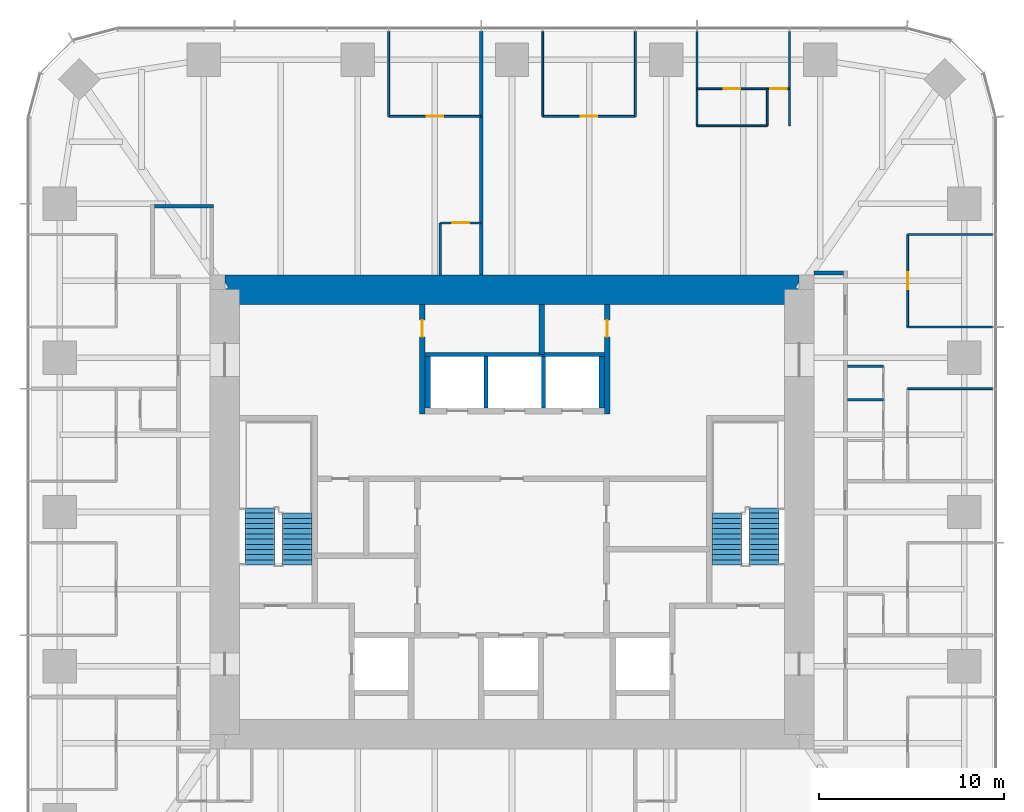
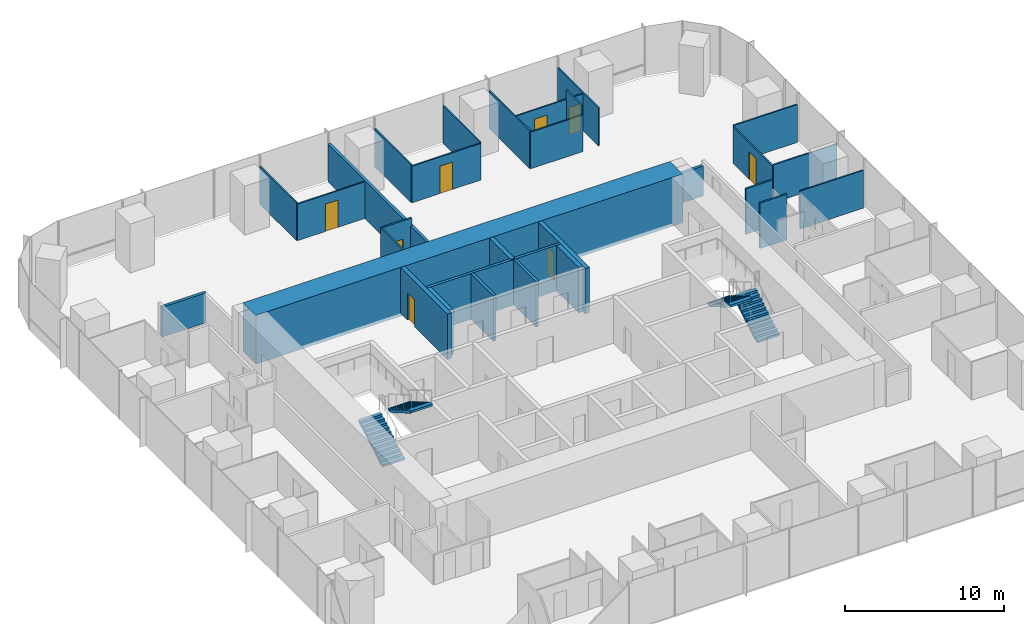
# One storey, part 11 of 12: 30 walls, 8 doors, 4 stair flights, 8 openings, 2 elements without a shape of their own.
"""IFC4 building model written with IfcOpenShell, lengths in metres."""

from ifc_helpers import new_model, si_unit, direction, frame, frame_2d, origin, place, context, subcontext, project, spatial, polyline, rectangle, outline, extrude, material, layer, layer_set, type_object, element, fill, aggregate, save


model = new_model("IFC4")

# Units and contexts
model_context = context("Model", 3, precision=1e-05, world=origin(), true_north=direction((0.0, 1.0)))
body_context = subcontext(model_context, "Body", "Model", "MODEL_VIEW")
ifc_project = project(units=[si_unit("LENGTHUNIT", "METRE"), si_unit("AREAUNIT", "SQUARE_METRE"), si_unit("VOLUMEUNIT", "CUBIC_METRE"), si_unit("PLANEANGLEUNIT", "RADIAN"), si_unit("MASSUNIT", "GRAM", prefix="KILO")], contexts=[model_context])

# Site, building, storey
site_placement = place(None, origin())
site = spatial("IfcSite", under=ifc_project, at=site_placement, CompositionType="ELEMENT")
building_placement = place(site_placement, origin())
building = spatial("IfcBuilding", under=site, at=building_placement, Name="Khuree Lantern Residences", CompositionType="ELEMENT")
storey_placement = place(building_placement, frame((0.0, 0.0, 233.25)))
storey = spatial("IfcBuildingStorey", under=building, at=storey_placement, Name="L58", CompositionType="ELEMENT", Elevation=233.25)

# Walls
ifc_material_1 = material(Name="Moisture-resistant gypsum board on steel studs", Category="steel")
ifc_layer_1 = layer(ifc_material_1, 0.125)
ifc_layer_set_1 = layer_set([ifc_layer_1], Name="BATHROOM WALL BTW125")
wall_type_1 = type_object("IfcWallType", Name="BATHROOM WALL BTW125", PredefinedType="PARTITIONING", material=ifc_layer_set_1)
for number, where, z_axis, x_axis, name in (
    (1, (18.10009765625, 6.06396484375, 0.0), (0.0, 0.0, 1.0), (1.0, 0.0, 0.0), "L58 BATHROOM WALL 02"),
    (2, (18.10009765625, 7.864013671875, 0.0), (0.0, 0.0, 1.0), (1.0, 0.0, 0.0), "L58 BATHROOM WALL 02"),
):
    element("IfcWall", number, at=place(storey_placement, frame(where, z_axis=z_axis, x_axis=x_axis)), inside=storey, type_object=wall_type_1, Name=name, PredefinedType="PARTITIONING", context=body_context, shape_type="SweptSolid", body=[
        extrude(rectangle(XDim=1.949951171875, YDim=0.125, at=frame_2d((0.97509765625, 0.0))), origin(), (0.0, 0.0, 1.0), 3.5),
    ])

# Wall, opening, door
wall_1_placement = place(storey_placement, frame((-1.6640625, 15.60009765625, 0.0), z_axis=(0.0, 0.0, 1.0), x_axis=(-1.0, 0.0, 0.0)))
wall_1 = element("IfcWall", 3, at=wall_1_placement, inside=storey, type_object=wall_type_1, Name="L58 BATHROOM WALL 03", PredefinedType="PARTITIONING", context=body_context, shape_type="SweptSolid", body=[
    extrude(rectangle(XDim=2.199951171875, YDim=0.125, at=frame_2d((1.10009765625, 0.0))), origin(), (0.0, 0.0, 1.0), 3.5),
])
opening_1_placement = place(wall_1_placement, frame((0.64990234375, 0.0, 0.0)))
opening_1 = element("IfcOpeningElement", 4, at=opening_1_placement, cuts=wall_1, Name="Opening 58-037", PredefinedType="OPENING", context=body_context, shape_type="SweptSolid", body=[
    extrude(rectangle(XDim=0.89990234375, YDim=2.10009765625, at=frame_2d((0.449951171875, 1.050048828125))), frame((0.0, 0.072509765625, 0.0), z_axis=(0.0, -1.0, 0.0), x_axis=(1.0, 0.0, 0.0)), (0.0, 0.0, 1.0), 0.14501953125),
])
ifc_material_2 = material(Name="Timber door leaf in hardwood frame", Category="wood")
door_type_1 = type_object("IfcDoorType", Name="BATHROOM DOOR 900X2100", OperationType="SINGLE_SWING_LEFT", PredefinedType="DOOR", material=ifc_material_2)
door_1_placement = place(opening_1_placement, origin())
door_1 = element("IfcDoor", 5, at=door_1_placement, inside=storey, type_object=door_type_1, Name="Bathroom door 58-037", OperationType="SINGLE_SWING_LEFT", OverallHeight=2.10009765625, OverallWidth=0.89990234375, PredefinedType="DOOR", context=body_context, shape_type="SweptSolid", body=[
    extrude(rectangle(XDim=0.89990234375, YDim=2.10009765625, at=frame_2d((0.449951171875, 1.050048828125))), frame((0.0, 0.02490234375, 0.0), z_axis=(0.0, -1.0, 0.0), x_axis=(1.0, 0.0, 0.0)), (0.0, 0.0, 1.0), 0.050048828125),
])
fill(opening_1, door_1)

# Walls
wall_2_placement = place(storey_placement, frame((-3.864013671875, 12.800048828125, 0.0), z_axis=(0.0, 0.0, 1.0), x_axis=(0.0, 1.0, 0.0)))
element("IfcWall", 6, at=wall_2_placement, inside=storey, type_object=wall_type_1, Name="L58 BATHROOM WALL 03", PredefinedType="PARTITIONING", context=body_context, shape_type="SweptSolid", body=[
    extrude(rectangle(XDim=2.800048828125, YDim=0.125, at=frame_2d((1.39990234375, 0.0))), origin(), (0.0, 0.0, 1.0), 3.5),
])
ifc_material_3 = material(Name="Dense concrete blockwork", Category="masonry")
ifc_layer_2 = layer(ifc_material_3, 0.300048828125)
ifc_layer_set_2 = layer_set([ifc_layer_2], Name="CORE PARTITION WALL CPW300 EI 120")
wall_type_2 = type_object("IfcWallType", Name="CORE PARTITION WALL CPW300 EI 120", PredefinedType="PARTITIONING", material=ifc_layer_set_2)
for number, where, z_axis, x_axis, name in (
    (7, (-4.550048828125, 5.60009765625, 0.0), (0.0, 0.0, 1.0), (0.0, 1.0, 0.0), "L58 CORE WALL PHW"),
    (8, (4.85009765625, 5.60009765625, 0.0), (0.0, 0.0, 1.0), (0.0, 1.0, 0.0), "L58 CORE WALL PHE"),
):
    element("IfcWall", number, at=place(storey_placement, frame(where, z_axis=z_axis, x_axis=x_axis)), inside=storey, type_object=wall_type_2, Name=name, PredefinedType="PARTITIONING", context=body_context, shape_type="SweptSolid", body=[
        extrude(rectangle(XDim=2.7998046875, YDim=0.300048828125, at=frame_2d((1.39990234375, 0.0))), origin(), (0.0, 0.0, 1.0), 3.5),
    ])

# Wall, opening, door
wall_3_placement = place(storey_placement, frame((-4.85009765625, 5.300048828125, 0.0), z_axis=(0.0, 0.0, 1.0), x_axis=(0.0, 1.0, 0.0)))
wall_3 = element("IfcWall", 9, at=wall_3_placement, inside=storey, type_object=wall_type_2, Name="L58 CORE WALL NW", PredefinedType="PARTITIONING", context=body_context, shape_type="SweptSolid", body=[
    extrude(rectangle(XDim=5.89990234375, YDim=0.300048828125, at=frame_2d((2.949951171875, 0.0))), origin(), (0.0, 0.0, 1.0), 3.5),
])
opening_2_placement = place(wall_3_placement, frame((4.14990234375, 0.0, 0.0)))
opening_2 = element("IfcOpeningElement", 10, at=opening_2_placement, cuts=wall_3, Name="Opening 58-021", PredefinedType="OPENING", context=body_context, shape_type="SweptSolid", body=[
    extrude(rectangle(XDim=0.89990234375, YDim=2.10009765625, at=frame_2d((0.449951171875, 1.050048828125))), frame((0.0, 0.16015625, 0.0), z_axis=(0.0, -1.0, 0.0), x_axis=(1.0, 0.0, 0.0)), (0.0, 0.0, 1.0), 0.320068359375),
])
door_type_2 = type_object("IfcDoorType", Name="DOOR 900X2100 RIGHT HAND", OperationType="SINGLE_SWING_RIGHT", PredefinedType="DOOR", material=ifc_material_2)
door_2_placement = place(opening_2_placement, origin())
door_2 = element("IfcDoor", 11, at=door_2_placement, inside=storey, type_object=door_type_2, Name="Bulky waste store door 58-021", OperationType="SINGLE_SWING_RIGHT", OverallHeight=2.10009765625, OverallWidth=0.89990234375, PredefinedType="DOOR", context=body_context, shape_type="SweptSolid", body=[
    extrude(rectangle(XDim=0.89990234375, YDim=2.10009765625, at=frame_2d((0.449951171875, 1.050048828125))), frame((0.0, 0.02490234375, 0.0), z_axis=(0.0, -1.0, 0.0), x_axis=(1.0, 0.0, 0.0)), (0.0, 0.0, 1.0), 0.050048828125),
])
fill(opening_2, door_2)

wall_4_placement = place(storey_placement, frame((5.14990234375, 5.300048828125, 0.0), z_axis=(0.0, 0.0, 1.0), x_axis=(0.0, 1.0, 0.0)))
wall_4 = element("IfcWall", 12, at=wall_4_placement, inside=storey, type_object=wall_type_2, Name="L58 CORE WALL NE", PredefinedType="PARTITIONING", context=body_context, shape_type="SweptSolid", body=[
    extrude(rectangle(XDim=5.89990234375, YDim=0.300048828125, at=frame_2d((2.949951171875, 0.0))), origin(), (0.0, 0.0, 1.0), 3.5),
])
opening_3_placement = place(wall_4_placement, frame((4.14990234375, 0.0, 0.0)))
opening_3 = element("IfcOpeningElement", 13, at=opening_3_placement, cuts=wall_4, Name="Opening 58-022", PredefinedType="OPENING", context=body_context, shape_type="SweptSolid", body=[
    extrude(rectangle(XDim=0.89990234375, YDim=2.10009765625, at=frame_2d((0.449951171875, 1.050048828125))), frame((0.0, 0.16015625, 0.0), z_axis=(0.0, -1.0, 0.0), x_axis=(1.0, 0.0, 0.0)), (0.0, 0.0, 1.0), 0.320068359375),
])
door_type_3 = type_object("IfcDoorType", Name="DOOR 900X2100", OperationType="SINGLE_SWING_LEFT", PredefinedType="DOOR", material=ifc_material_2)
door_3_placement = place(opening_3_placement, origin())
door_3 = element("IfcDoor", 14, at=door_3_placement, inside=storey, type_object=door_type_3, Name="Building management room door 58-022", OperationType="SINGLE_SWING_LEFT", OverallHeight=2.10009765625, OverallWidth=0.89990234375, PredefinedType="DOOR", context=body_context, shape_type="SweptSolid", body=[
    extrude(rectangle(XDim=0.89990234375, YDim=2.10009765625, at=frame_2d((0.449951171875, 1.050048828125))), frame((0.0, 0.02490234375, 0.0), z_axis=(0.0, -1.0, 0.0), x_axis=(1.0, 0.0, 0.0)), (0.0, 0.0, 1.0), 0.050048828125),
])
fill(opening_3, door_3)

# Walls
wall_5_placement = place(storey_placement, frame((1.60009765625, 8.5, 0.0), z_axis=(0.0, 0.0, 1.0), x_axis=(0.0, 1.0, 0.0)))
element("IfcWall", 15, at=wall_5_placement, inside=storey, type_object=wall_type_2, Name="L58 CORE WALL NX", PredefinedType="PARTITIONING", context=body_context, shape_type="SweptSolid", body=[
    extrude(rectangle(XDim=2.699951171875, YDim=0.300048828125, at=frame_2d((1.35009765625, 0.0))), origin(), (0.0, 0.0, 1.0), 3.5),
])
ifc_material_4 = material(Name="Gypsum board on steel studs", Category="steel")
ifc_layer_3 = layer(ifc_material_4, 0.199951171875)
ifc_layer_set_3 = layer_set([ifc_layer_3], Name="CORRIDOR WALL CRW200 EI 60")
wall_type_3 = type_object("IfcWallType", Name="CORRIDOR WALL CRW200 EI 60", PredefinedType="PARTITIONING", material=ifc_layer_set_3)
wall_6_placement = place(storey_placement, frame((-19.300048828125, 16.5, 0.0), z_axis=(0.0, 0.0, 1.0), x_axis=(1.0, 0.0, 0.0)))
element("IfcWall", 16, at=wall_6_placement, inside=storey, type_object=wall_type_3, Name="L58 RESIDENTS LOUNGE WALL", PredefinedType="PARTITIONING", context=body_context, shape_type="SweptSolid", body=[
    extrude(rectangle(XDim=3.199951171875, YDim=0.199951171875, at=frame_2d((1.60009765625, 0.0))), origin(), (0.0, 0.0, 1.0), 2.300048828125),
])
wall_7_placement = place(storey_placement, frame((16.300048828125, 12.89990234375, 0.0), z_axis=(0.0, 0.0, 1.0), x_axis=(1.0, 0.0, 0.0)))
element("IfcWall", 17, at=wall_7_placement, inside=storey, type_object=wall_type_3, Name="L58 EAST CORRIDOR NORTH END WALL", PredefinedType="PARTITIONING", context=body_context, shape_type="SweptSolid", body=[
    extrude(rectangle(XDim=1.599853515625, YDim=0.199951171875, at=frame_2d((0.7998046875, 0.0))), origin(), (0.0, 0.0, 1.0), 2.300048828125),
])
ifc_material_5 = material(Name="Concrete C50/60", Category="concrete")
ifc_layer_4 = layer(ifc_material_5, 1.60009765625)
ifc_layer_set_4 = layer_set([ifc_layer_4], Name="CW1600-C50 CORE WALL C50 1600")
wall_type_4 = type_object("IfcWallType", Name="CW1600-C50 CORE WALL C50 1600", PredefinedType="SHEAR", material=ifc_layer_set_4)
wall_8_placement = place(storey_placement, frame((-15.5, 12.0, -0.25), z_axis=(0.0, 0.0, 1.0), x_axis=(1.0, 0.0, 0.0)))
element("IfcWall", 18, at=wall_8_placement, inside=storey, type_object=wall_type_4, Name="Core wall N", PredefinedType="SHEAR", context=body_context, shape_type="SweptSolid", body=[
    extrude(rectangle(XDim=31.0, YDim=1.60009765625, at=frame_2d((15.5, 0.0))), origin(), (0.0, 0.0, 1.0), 3.75),
])
ifc_layer_5 = layer(ifc_material_4, 0.199951171875)
ifc_layer_set_5 = layer_set([ifc_layer_5], Name="DEMISING WALL DMW200 EI 90")
wall_type_5 = type_object("IfcWallType", Name="DEMISING WALL DMW200 EI 90", PredefinedType="PARTITIONING", material=ifc_layer_set_5)
wall_9_placement = place(storey_placement, frame((-1.6640625, 12.800048828125, 0.0), z_axis=(0.0, 0.0, 1.0), x_axis=(0.0, 1.0, 0.0)))
element("IfcWall", 19, at=wall_9_placement, inside=storey, type_object=wall_type_5, Name="L58 DEMISING WALL 03", PredefinedType="PARTITIONING", context=body_context, shape_type="SweptSolid", body=[
    extrude(rectangle(XDim=13.14990234375, YDim=0.199951171875, at=frame_2d((6.574951171875, 0.0))), origin(), (0.0, 0.0, 1.0), 2.909912109375),
])
ifc_layer_6 = layer(ifc_material_4, 0.10009765625)
ifc_layer_set_6 = layer_set([ifc_layer_6], Name="PARTITION PT100")
wall_type_6 = type_object("IfcWallType", Name="PARTITION PT100", PredefinedType="PARTITIONING", material=ifc_layer_set_6)
for number, where, z_axis, x_axis, name in (
    (20, (21.35009765625, 6.656005859375, 0.0), (0.0, 0.0, 1.0), (1.0, 0.0, 0.0), "L58 PARTITION 02"),
    (21, (21.35009765625, 9.98388671875, 0.0), (0.0, 0.0, 1.0), (1.0, 0.0, 0.0), "L58 PARTITION 02"),
    (22, (21.35009765625, 14.97607421875, 0.0), (0.0, 0.0, 1.0), (1.0, 0.0, 0.0), "L58 PARTITION 02"),
):
    element("IfcWall", number, at=place(storey_placement, frame(where, z_axis=z_axis, x_axis=x_axis)), inside=storey, type_object=wall_type_6, Name=name, PredefinedType="PARTITIONING", context=body_context, shape_type="SweptSolid", body=[
        extrude(rectangle(XDim=4.599853515625, YDim=0.10009765625, at=frame_2d((2.2998046875, 0.0))), origin(), (0.0, 0.0, 1.0), 2.909912109375),
    ])
for number, where, z_axis, x_axis, name in (
    (23, (14.97607421875, 20.844970703125, 0.0), (0.0, 0.0, 1.0), (0.0, 1.0, 0.0), "L58 PARTITION 02"),
    (24, (9.98388671875, 20.844970703125, 0.0), (0.0, 0.0, 1.0), (0.0, 1.0, 0.0), "L58 PARTITION 02"),
):
    element("IfcWall", number, at=place(storey_placement, frame(where, z_axis=z_axis, x_axis=x_axis)), inside=storey, type_object=wall_type_6, Name=name, PredefinedType="PARTITIONING", context=body_context, shape_type="SweptSolid", body=[
        extrude(rectangle(XDim=5.10498046875, YDim=0.10009765625, at=frame_2d((2.552490234375, 0.0))), origin(), (0.0, 0.0, 1.0), 2.909912109375),
    ])
for number, where, z_axis, x_axis, name in (
    (25, (6.656005859375, 21.35009765625, 0.0), (0.0, 0.0, 1.0), (0.0, 1.0, 0.0), "L58 PARTITION 02"),
    (26, (1.6640625, 21.35009765625, 0.0), (0.0, 0.0, 1.0), (0.0, 1.0, 0.0), "L58 PARTITION 02"),
    (27, (-6.656005859375, 21.35009765625, 0.0), (0.0, 0.0, 1.0), (0.0, 1.0, 0.0), "L58 PARTITION 03"),
):
    element("IfcWall", number, at=place(storey_placement, frame(where, z_axis=z_axis, x_axis=x_axis)), inside=storey, type_object=wall_type_6, Name=name, PredefinedType="PARTITIONING", context=body_context, shape_type="SweptSolid", body=[
        extrude(rectangle(XDim=4.599853515625, YDim=0.10009765625, at=frame_2d((2.2998046875, 0.0))), origin(), (0.0, 0.0, 1.0), 2.909912109375),
    ])

# Wall, opening, door
wall_10_placement = place(storey_placement, frame((21.35009765625, 9.98388671875, 0.0), z_axis=(0.0, 0.0, 1.0), x_axis=(0.0, 1.0, 0.0)))
wall_10 = element("IfcWall", 28, at=wall_10_placement, inside=storey, type_object=wall_type_6, Name="L58 PARTITION 02", PredefinedType="PARTITIONING", context=body_context, shape_type="SweptSolid", body=[
    extrude(rectangle(XDim=4.9921875, YDim=0.10009765625, at=frame_2d((2.49609375, 0.0))), origin(), (0.0, 0.0, 1.0), 2.81005859375),
])
opening_4_placement = place(wall_10_placement, frame((2.0458984375, 0.0, 0.0)))
opening_4 = element("IfcOpeningElement", 29, at=opening_4_placement, cuts=wall_10, Name="Opening 58-027", PredefinedType="OPENING", context=body_context, shape_type="SweptSolid", body=[
    extrude(rectangle(XDim=0.89990234375, YDim=2.10009765625, at=frame_2d((0.449951171875, 1.050048828125))), frame((0.0, 0.06005859375, 0.0), z_axis=(0.0, -1.0, 0.0), x_axis=(1.0, 0.0, 0.0)), (0.0, 0.0, 1.0), 0.1201171875),
])
door_type_4 = type_object("IfcDoorType", Name="BEDROOM DOOR 900X2100", OperationType="SINGLE_SWING_LEFT", PredefinedType="DOOR", material=ifc_material_2)
door_4_placement = place(opening_4_placement, origin())
door_4 = element("IfcDoor", 30, at=door_4_placement, inside=storey, type_object=door_type_4, Name="Bedroom door 58-027", OperationType="SINGLE_SWING_LEFT", OverallHeight=2.10009765625, OverallWidth=0.89990234375, PredefinedType="DOOR", context=body_context, shape_type="SweptSolid", body=[
    extrude(rectangle(XDim=0.89990234375, YDim=2.10009765625, at=frame_2d((0.449951171875, 1.050048828125))), frame((0.0, 0.02490234375, 0.0), z_axis=(0.0, -1.0, 0.0), x_axis=(1.0, 0.0, 0.0)), (0.0, 0.0, 1.0), 0.050048828125),
])
fill(opening_4, door_4)

# Wall, openings, doors
wall_11_placement = place(storey_placement, frame((14.97607421875, 22.844970703125, 0.0), z_axis=(0.0, 0.0, 1.0), x_axis=(-1.0, 0.0, 0.0)))
wall_11 = element("IfcWall", 31, at=wall_11_placement, inside=storey, type_object=wall_type_6, Name="L58 PARTITION 02", PredefinedType="PARTITIONING", context=body_context, shape_type="SweptSolid", body=[
    extrude(rectangle(XDim=4.9921875, YDim=0.10009765625, at=frame_2d((2.49609375, 0.0))), origin(), (0.0, 0.0, 1.0), 2.81005859375),
])
opening_5_placement = place(wall_11_placement, frame((0.14990234375, 0.0, 0.0)))
opening_5 = element("IfcOpeningElement", 32, at=opening_5_placement, cuts=wall_11, Name="Opening 58-028", PredefinedType="OPENING", context=body_context, shape_type="SweptSolid", body=[
    extrude(rectangle(XDim=0.89990234375, YDim=2.10009765625, at=frame_2d((0.449951171875, 1.050048828125))), frame((0.0, 0.06005859375, 0.0), z_axis=(0.0, -1.0, 0.0), x_axis=(1.0, 0.0, 0.0)), (0.0, 0.0, 1.0), 0.1201171875),
])
opening_6_placement = place(wall_11_placement, frame((2.64599609375, 0.0, 0.0)))
opening_6 = element("IfcOpeningElement", 33, at=opening_6_placement, cuts=wall_11, Name="Opening 58-029", PredefinedType="OPENING", context=body_context, shape_type="SweptSolid", body=[
    extrude(rectangle(XDim=0.89990234375, YDim=2.10009765625, at=frame_2d((0.449951171875, 1.050048828125))), frame((0.0, 0.06005859375, 0.0), z_axis=(0.0, -1.0, 0.0), x_axis=(1.0, 0.0, 0.0)), (0.0, 0.0, 1.0), 0.1201171875),
])
door_5_placement = place(opening_5_placement, origin())
door_5 = element("IfcDoor", 34, at=door_5_placement, inside=storey, type_object=door_type_4, Name="Bedroom door 58-028", OperationType="SINGLE_SWING_LEFT", OverallHeight=2.10009765625, OverallWidth=0.89990234375, PredefinedType="DOOR", context=body_context, shape_type="SweptSolid", body=[
    extrude(rectangle(XDim=0.89990234375, YDim=2.10009765625, at=frame_2d((0.449951171875, 1.050048828125))), frame((0.0, 0.02490234375, 0.0), z_axis=(0.0, -1.0, 0.0), x_axis=(1.0, 0.0, 0.0)), (0.0, 0.0, 1.0), 0.050048828125),
])
fill(opening_5, door_5)
door_6_placement = place(opening_6_placement, origin())
door_6 = element("IfcDoor", 35, at=door_6_placement, inside=storey, type_object=door_type_3, Name="Wardrobe door 58-029", OperationType="SINGLE_SWING_LEFT", OverallHeight=2.10009765625, OverallWidth=0.89990234375, PredefinedType="DOOR", context=body_context, shape_type="SweptSolid", body=[
    extrude(rectangle(XDim=0.89990234375, YDim=2.10009765625, at=frame_2d((0.449951171875, 1.050048828125))), frame((0.0, 0.02490234375, 0.0), z_axis=(0.0, -1.0, 0.0), x_axis=(1.0, 0.0, 0.0)), (0.0, 0.0, 1.0), 0.050048828125),
])
fill(opening_6, door_6)

# Walls
wall_12_placement = place(storey_placement, frame((13.77587890625, 20.844970703125, 0.0), z_axis=(0.0, 0.0, 1.0), x_axis=(0.0, 1.0, 0.0)))
element("IfcWall", 36, at=wall_12_placement, inside=storey, type_object=wall_type_6, Name="L58 PARTITION 02", PredefinedType="PARTITIONING", context=body_context, shape_type="SweptSolid", body=[
    extrude(rectangle(XDim=2.0, YDim=0.10009765625, at=frame_2d((1.0, 0.0))), origin(), (0.0, 0.0, 1.0), 3.5),
])
wall_13_placement = place(storey_placement, frame((13.77587890625, 20.844970703125, 0.0), z_axis=(0.0, 0.0, 1.0), x_axis=(-1.0, 0.0, 0.0)))
element("IfcWall", 37, at=wall_13_placement, inside=storey, type_object=wall_type_6, Name="L58 PARTITION 02", PredefinedType="PARTITIONING", context=body_context, shape_type="SweptSolid", body=[
    extrude(rectangle(XDim=3.7919921875, YDim=0.10009765625, at=frame_2d((1.89599609375, 0.0))), origin(), (0.0, 0.0, 1.0), 2.81005859375),
])

# Wall, opening, door
wall_14_placement = place(storey_placement, frame((6.656005859375, 21.35009765625, 0.0), z_axis=(0.0, 0.0, 1.0), x_axis=(-1.0, 0.0, 0.0)))
wall_14 = element("IfcWall", 38, at=wall_14_placement, inside=storey, type_object=wall_type_6, Name="L58 PARTITION 02", PredefinedType="PARTITIONING", context=body_context, shape_type="SweptSolid", body=[
    extrude(rectangle(XDim=4.991943359375, YDim=0.10009765625, at=frame_2d((2.49609375, 0.0))), origin(), (0.0, 0.0, 1.0), 2.81005859375),
])
opening_7_placement = place(wall_14_placement, frame((2.0458984375, 0.0, 0.0)))
opening_7 = element("IfcOpeningElement", 39, at=opening_7_placement, cuts=wall_14, Name="Opening 58-030", PredefinedType="OPENING", context=body_context, shape_type="SweptSolid", body=[
    extrude(rectangle(XDim=0.89990234375, YDim=2.10009765625, at=frame_2d((0.449951171875, 1.050048828125))), frame((0.0, 0.06005859375, 0.0), z_axis=(0.0, -1.0, 0.0), x_axis=(1.0, 0.0, 0.0)), (0.0, 0.0, 1.0), 0.1201171875),
])
door_7_placement = place(opening_7_placement, origin())
door_7 = element("IfcDoor", 40, at=door_7_placement, inside=storey, type_object=door_type_4, Name="Bedroom door 58-030", OperationType="SINGLE_SWING_LEFT", OverallHeight=2.10009765625, OverallWidth=0.89990234375, PredefinedType="DOOR", context=body_context, shape_type="SweptSolid", body=[
    extrude(rectangle(XDim=0.89990234375, YDim=2.10009765625, at=frame_2d((0.449951171875, 1.050048828125))), frame((0.0, 0.02490234375, 0.0), z_axis=(0.0, -1.0, 0.0), x_axis=(1.0, 0.0, 0.0)), (0.0, 0.0, 1.0), 0.050048828125),
])
fill(opening_7, door_7)

wall_15_placement = place(storey_placement, frame((-1.6640625, 21.35009765625, 0.0), z_axis=(0.0, 0.0, 1.0), x_axis=(-1.0, 0.0, 0.0)))
wall_15 = element("IfcWall", 41, at=wall_15_placement, inside=storey, type_object=wall_type_6, Name="L58 PARTITION 03", PredefinedType="PARTITIONING", context=body_context, shape_type="SweptSolid", body=[
    extrude(rectangle(XDim=4.991943359375, YDim=0.10009765625, at=frame_2d((2.49609375, 0.0))), origin(), (0.0, 0.0, 1.0), 2.81005859375),
])
opening_8_placement = place(wall_15_placement, frame((2.0458984375, 0.0, 0.0)))
opening_8 = element("IfcOpeningElement", 42, at=opening_8_placement, cuts=wall_15, Name="Opening 58-035", PredefinedType="OPENING", context=body_context, shape_type="SweptSolid", body=[
    extrude(rectangle(XDim=0.89990234375, YDim=2.10009765625, at=frame_2d((0.449951171875, 1.050048828125))), frame((0.0, 0.06005859375, 0.0), z_axis=(0.0, -1.0, 0.0), x_axis=(1.0, 0.0, 0.0)), (0.0, 0.0, 1.0), 0.1201171875),
])
door_8_placement = place(opening_8_placement, origin())
door_8 = element("IfcDoor", 43, at=door_8_placement, inside=storey, type_object=door_type_4, Name="Bedroom door 58-035", OperationType="SINGLE_SWING_LEFT", OverallHeight=2.10009765625, OverallWidth=0.89990234375, PredefinedType="DOOR", context=body_context, shape_type="SweptSolid", body=[
    extrude(rectangle(XDim=0.89990234375, YDim=2.10009765625, at=frame_2d((0.449951171875, 1.050048828125))), frame((0.0, 0.02490234375, 0.0), z_axis=(0.0, -1.0, 0.0), x_axis=(1.0, 0.0, 0.0)), (0.0, 0.0, 1.0), 0.050048828125),
])
fill(opening_8, door_8)

# Walls
ifc_layer_7 = layer(ifc_material_3, 0.199951171875)
ifc_layer_set_7 = layer_set([ifc_layer_7], Name="SHAFT WALL SHW200 EI 120")
wall_type_7 = type_object("IfcWallType", Name="SHAFT WALL SHW200 EI 120", PredefinedType="PARTITIONING", material=ifc_layer_set_7)
wall_16_placement = place(storey_placement, frame((-4.699951171875, 8.5, 0.0), z_axis=(0.0, 0.0, 1.0), x_axis=(1.0, 0.0, 0.0)))
element("IfcWall", 44, at=wall_16_placement, inside=storey, type_object=wall_type_7, Name="L58 CORE WALL PHN", PredefinedType="PARTITIONING", context=body_context, shape_type="SweptSolid", body=[
    extrude(rectangle(XDim=9.699951171875, YDim=0.199951171875, at=frame_2d((4.85009765625, 0.0))), origin(), (0.0, 0.0, 1.0), 3.5),
])
for number, where, z_axis, x_axis, name in (
    (45, (-1.39990234375, 5.60009765625, 0.0), (0.0, 0.0, 1.0), (0.0, 1.0, 0.0), "L58 CORE WALL PHD1"),
    (46, (1.699951171875, 5.60009765625, 0.0), (0.0, 0.0, 1.0), (0.0, 1.0, 0.0), "L58 CORE WALL PHD2"),
):
    element("IfcWall", number, at=place(storey_placement, frame(where, z_axis=z_axis, x_axis=x_axis)), inside=storey, type_object=wall_type_7, Name=name, PredefinedType="PARTITIONING", context=body_context, shape_type="SweptSolid", body=[
        extrude(rectangle(XDim=2.7998046875, YDim=0.199951171875, at=frame_2d((1.39990234375, 0.0))), origin(), (0.0, 0.0, 1.0), 3.5),
    ])

# Stair, stair flights
ifc_material_6 = material(Name="Concrete C40/50", Category="concrete")
stair_type = type_object("IfcStairType", Name="STAIR ST1 HALF TURN 3600", PredefinedType="HALF_TURN_STAIR", material=ifc_material_6)
stair_1_placement = place(storey_placement, origin())
stair_1 = element("IfcStair", 47, at=stair_1_placement, inside=storey, type_object=stair_type, Name="Stair ST1", PredefinedType="HALF_TURN_STAIR")
stair_flight_type = type_object("IfcStairFlightType", Name="STAIR FLIGHT SF1 1600", PredefinedType="STRAIGHT", material=ifc_material_6)
stair_flight_1_placement = place(storey_placement, frame((-13.60009765625, -2.860107421875, 0.0), z_axis=(0.0, 0.0, 1.0), x_axis=(0.0, 1.0, 0.0)))
stair_flight_1 = element("IfcStairFlight", 48, at=stair_flight_1_placement, type_object=stair_flight_type, Name="ST1 flight 1", NumberOfRisers=12, NumberOfTreads=11, PredefinedType="STRAIGHT", RiserHeight=0.163043478, TreadLength=0.28, context=body_context, shape_type="SweptSolid", body=[
    extrude(outline(polyline([(0.0, 0.0), (0.0, 0.1630859375), (0.280029296875, 0.1630859375), (0.280029296875, 0.326171875), (0.56005859375, 0.326171875), (0.56005859375, 0.489013671875), (0.840087890625, 0.489013671875), (0.840087890625, 0.652099609375), (1.1201171875, 0.652099609375), (1.1201171875, 0.815185546875), (1.39990234375, 0.815185546875), (1.39990234375, 0.978271484375), (1.679931640625, 0.978271484375), (1.679931640625, 1.141357421875), (1.9599609375, 1.141357421875), (1.9599609375, 1.304443359375), (2.239990234375, 1.304443359375), (2.239990234375, 1.46728515625), (2.52001953125, 1.46728515625), (2.52001953125, 1.63037109375), (2.800048828125, 1.63037109375), (2.800048828125, 1.79345703125), (3.080078125, 1.79345703125), (3.080078125, 1.95654296875), (3.080078125, 1.6201171875), (0.2978515625, 0.0), (0.0, 0.0)])), frame((0.0, 0.800048828125, 0.0), z_axis=(0.0, -1.0, 0.0), x_axis=(1.0, 0.0, 0.0)), (0.0, 0.0, 1.0), 1.60009765625),
])
stair_flight_2_placement = place(storey_placement, frame((-11.60009765625, -0.06005859375, 1.95654296875), z_axis=(0.0, 0.0, 1.0), x_axis=(0.0, -1.0, 0.0)))
stair_flight_2 = element("IfcStairFlight", 49, at=stair_flight_2_placement, type_object=stair_flight_type, Name="ST1 flight 2", NumberOfRisers=11, NumberOfTreads=10, PredefinedType="STRAIGHT", RiserHeight=0.163043478, TreadLength=0.28, context=body_context, shape_type="SweptSolid", body=[
    extrude(outline(polyline([(0.0, 0.0), (0.0, 0.1630859375), (0.280029296875, 0.1630859375), (0.280029296875, 0.326171875), (0.56005859375, 0.326171875), (0.56005859375, 0.489013671875), (0.840087890625, 0.489013671875), (0.840087890625, 0.652099609375), (1.1201171875, 0.652099609375), (1.1201171875, 0.815185546875), (1.39990234375, 0.815185546875), (1.39990234375, 0.978271484375), (1.679931640625, 0.978271484375), (1.679931640625, 1.141357421875), (1.9599609375, 1.141357421875), (1.9599609375, 1.304443359375), (2.239990234375, 1.304443359375), (2.239990234375, 1.46728515625), (2.52001953125, 1.46728515625), (2.52001953125, 1.63037109375), (2.800048828125, 1.63037109375), (2.800048828125, 1.79345703125), (2.800048828125, 1.45703125), (0.2978515625, 0.0), (0.0, 0.0)])), frame((0.0, 0.800048828125, 0.0), z_axis=(0.0, -1.0, 0.0), x_axis=(1.0, 0.0, 0.0)), (0.0, 0.0, 1.0), 1.60009765625),
])
aggregate(stair_1, [stair_flight_1, stair_flight_2])

stair_2_placement = place(storey_placement, origin())
stair_2 = element("IfcStair", 50, at=stair_2_placement, inside=storey, type_object=stair_type, Name="Stair ST2", PredefinedType="HALF_TURN_STAIR")
stair_flight_3_placement = place(storey_placement, frame((13.60009765625, -2.860107421875, 0.0), z_axis=(0.0, 0.0, 1.0), x_axis=(0.0, 1.0, 0.0)))
stair_flight_3 = element("IfcStairFlight", 51, at=stair_flight_3_placement, type_object=stair_flight_type, Name="ST2 flight 1", NumberOfRisers=12, NumberOfTreads=11, PredefinedType="STRAIGHT", RiserHeight=0.163043478, TreadLength=0.28, context=body_context, shape_type="SweptSolid", body=[
    extrude(outline(polyline([(0.0, 0.0), (0.0, 0.1630859375), (0.280029296875, 0.1630859375), (0.280029296875, 0.326171875), (0.56005859375, 0.326171875), (0.56005859375, 0.489013671875), (0.840087890625, 0.489013671875), (0.840087890625, 0.652099609375), (1.1201171875, 0.652099609375), (1.1201171875, 0.815185546875), (1.39990234375, 0.815185546875), (1.39990234375, 0.978271484375), (1.679931640625, 0.978271484375), (1.679931640625, 1.141357421875), (1.9599609375, 1.141357421875), (1.9599609375, 1.304443359375), (2.239990234375, 1.304443359375), (2.239990234375, 1.46728515625), (2.52001953125, 1.46728515625), (2.52001953125, 1.63037109375), (2.800048828125, 1.63037109375), (2.800048828125, 1.79345703125), (3.080078125, 1.79345703125), (3.080078125, 1.95654296875), (3.080078125, 1.6201171875), (0.2978515625, 0.0), (0.0, 0.0)])), frame((0.0, 0.800048828125, 0.0), z_axis=(0.0, -1.0, 0.0), x_axis=(1.0, 0.0, 0.0)), (0.0, 0.0, 1.0), 1.60009765625),
])
stair_flight_4_placement = place(storey_placement, frame((11.60009765625, -0.06005859375, 1.95654296875), z_axis=(0.0, 0.0, 1.0), x_axis=(0.0, -1.0, 0.0)))
stair_flight_4 = element("IfcStairFlight", 52, at=stair_flight_4_placement, type_object=stair_flight_type, Name="ST2 flight 2", NumberOfRisers=11, NumberOfTreads=10, PredefinedType="STRAIGHT", RiserHeight=0.163043478, TreadLength=0.28, context=body_context, shape_type="SweptSolid", body=[
    extrude(outline(polyline([(0.0, 0.0), (0.0, 0.1630859375), (0.280029296875, 0.1630859375), (0.280029296875, 0.326171875), (0.56005859375, 0.326171875), (0.56005859375, 0.489013671875), (0.840087890625, 0.489013671875), (0.840087890625, 0.652099609375), (1.1201171875, 0.652099609375), (1.1201171875, 0.815185546875), (1.39990234375, 0.815185546875), (1.39990234375, 0.978271484375), (1.679931640625, 0.978271484375), (1.679931640625, 1.141357421875), (1.9599609375, 1.141357421875), (1.9599609375, 1.304443359375), (2.239990234375, 1.304443359375), (2.239990234375, 1.46728515625), (2.52001953125, 1.46728515625), (2.52001953125, 1.63037109375), (2.800048828125, 1.63037109375), (2.800048828125, 1.79345703125), (2.800048828125, 1.45703125), (0.2978515625, 0.0), (0.0, 0.0)])), frame((0.0, 0.800048828125, 0.0), z_axis=(0.0, -1.0, 0.0), x_axis=(1.0, 0.0, 0.0)), (0.0, 0.0, 1.0), 1.60009765625),
])
aggregate(stair_2, [stair_flight_3, stair_flight_4])

save(model, "model.ifc")
